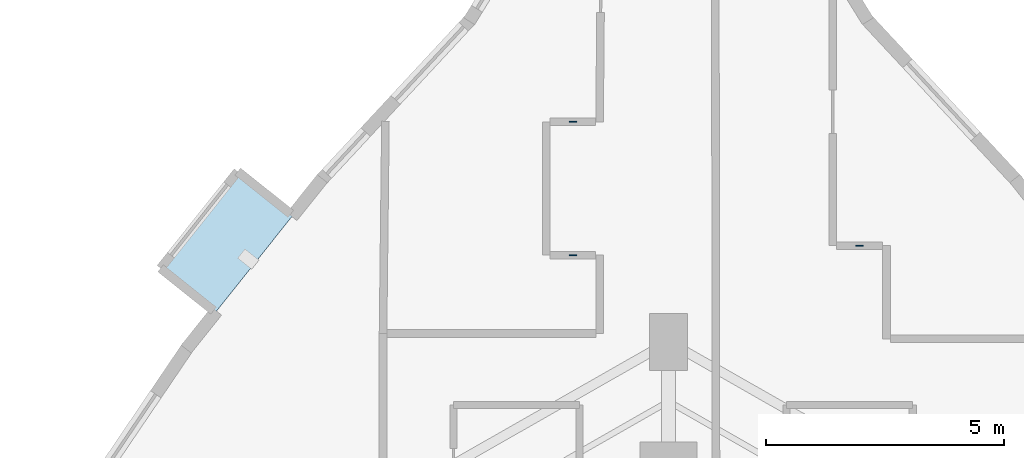
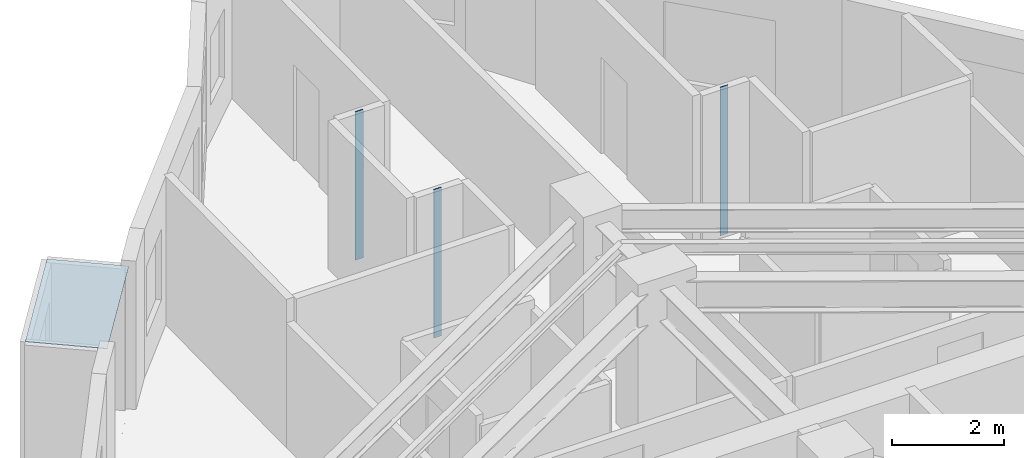
# One storey, part 7 of 14: 4 plates.
"""IFC4 building model written with IfcOpenShell, lengths in metres."""

from ifc_helpers import new_model, si_unit, direction, frame, origin, origin_2d, place, context, subcontext, project, spatial, polyline, rectangle, outline, extrude, material, layer, layer_set, type_object, element, save


model = new_model("IFC4")

# Units and contexts
model_context = context("Model", 3, precision=1e-05, world=origin(), true_north=direction((0.0, 1.0)))
body_context = subcontext(model_context, "Body", "Model", "MODEL_VIEW")
ifc_project = project(units=[si_unit("LENGTHUNIT", "METRE"), si_unit("AREAUNIT", "SQUARE_METRE"), si_unit("VOLUMEUNIT", "CUBIC_METRE"), si_unit("PLANEANGLEUNIT", "RADIAN"), si_unit("MASSUNIT", "GRAM", prefix="KILO")], contexts=[model_context])

# Site, building, storey
site_placement = place(None, origin())
site = spatial("IfcSite", under=ifc_project, at=site_placement, CompositionType="ELEMENT")
building_placement = place(site_placement, origin())
building = spatial("IfcBuilding", under=site, at=building_placement, Name="Miruveldt Soraemaru", CompositionType="ELEMENT")
storey_placement = place(building_placement, frame((0.0, 0.0, 131.89990234375)))
storey = spatial("IfcBuildingStorey", under=building, at=storey_placement, Name="L36", CompositionType="ELEMENT", Elevation=131.89990234375)

# Plates
ifc_material_1 = material(Name="Anodised aluminium EN AW-6063 T6", Category="aluminium")
ifc_layer_1 = layer(ifc_material_1, 0.02001953125, Name="Anodised aluminium EN AW-6063 T6", Category="aluminium")
ifc_layer_set_1 = layer_set([ifc_layer_1], Name="Anodised aluminium EN AW-6063 T6")
plate_type_1 = type_object("IfcPlateType", Name="PLT-PART-TRIM", PredefinedType="SHEET", material=ifc_layer_set_1)
for number, where, z_axis, x_axis, name in (
    (1, (48.014892578125, 62.1298828125, 0.0), (0.0, 0.0, 1.0), (-1.0, 0.0, 0.0), "L36 Partition Step Corner Trim Plate 034"),
    (2, (41.989990234375, 64.72998046875, 0.0), (0.0, 0.0, 1.0), (-1.0, 0.0, 0.0), "L36 Partition Step Corner Trim Plate 022"),
    (3, (41.989990234375, 61.929931640625, 0.0), (0.0, 0.0, 1.0), (1.0, 0.0, 0.0), "L36 Partition Step Corner Trim Plate 024"),
):
    element("IfcPlate", number, at=place(storey_placement, frame(where, z_axis=z_axis, x_axis=x_axis)), inside=storey, type_object=plate_type_1, Name=name, PredefinedType="SHEET", context=body_context, shape_type="SweptSolid", body=[
        extrude(rectangle(XDim=0.159912109375, YDim=0.02001953125, at=origin_2d()), origin(), (0.0, 0.0, 1.0), 3.235107421875),
    ])
ifc_material_2 = material(Name="Standing-seam titanium-zinc sheet", Category="aluminium")
ifc_layer_2 = layer(ifc_material_2, 0.011962890625, Name="Standing-seam titanium-zinc sheet", Category="aluminium")
ifc_layer_set_2 = layer_set([ifc_layer_2], Name="Standing-seam titanium-zinc sheet")
plate_type_2 = type_object("IfcPlateType", Name="PLT-ZINC-12", PredefinedType="SHEET", material=ifc_layer_set_2)
plate_placement = place(storey_placement, frame((0.0, 0.0, 3.085205078125)))
element("IfcPlate", 4, at=plate_placement, inside=storey, type_object=plate_type_2, Name="L36 Bay Window Zinc Hood Sheet 1", PredefinedType="SHEET", context=body_context, shape_type="SweptSolid", body=[
    extrude(outline(polyline([(36.103759765625, 62.76171875), (34.482421875, 60.72900390625), (33.325439453125, 61.652099609375), (34.94677734375, 63.6845703125), (36.103759765625, 62.76171875)])), origin(), (0.0, 0.0, 1.0), 0.011962890625),
])

save(model, "model.ifc")
